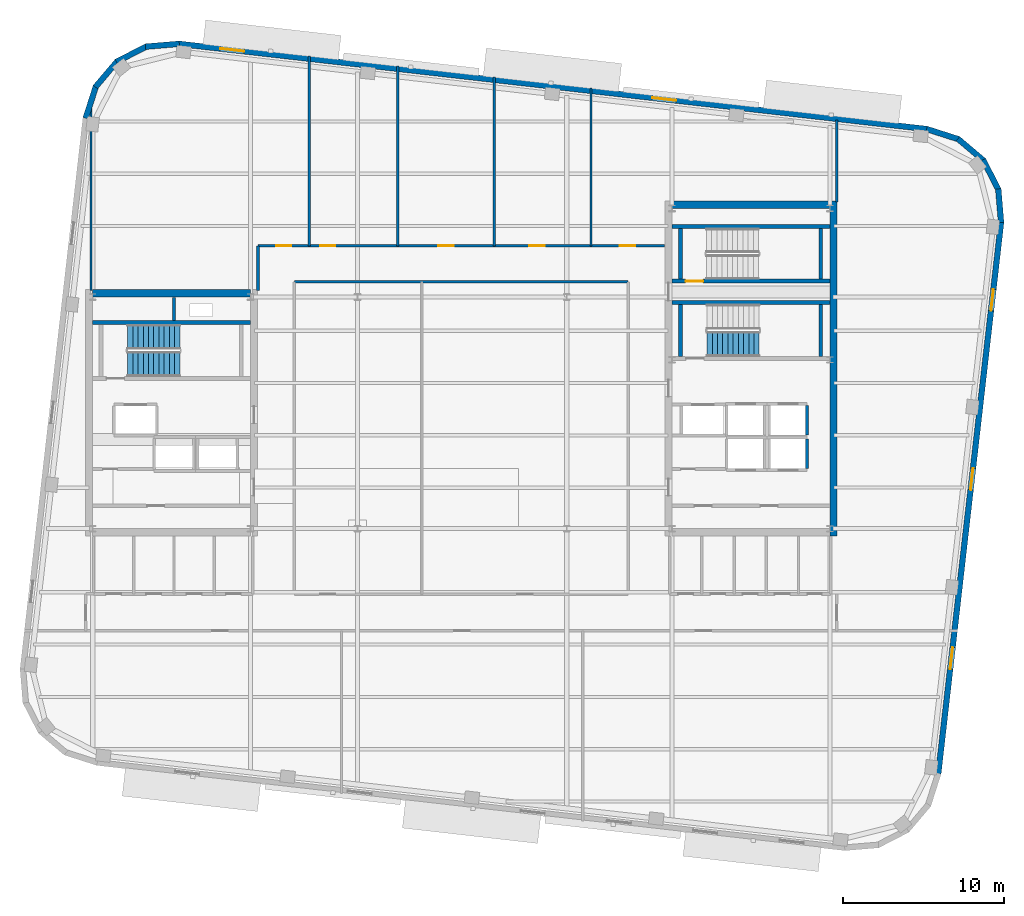
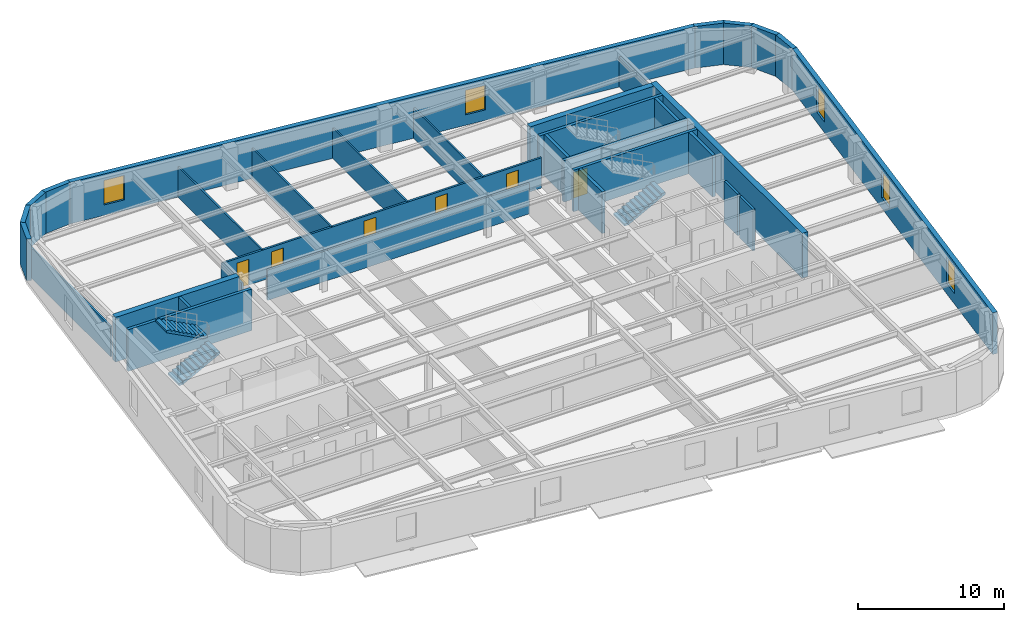
# One storey, part 8 of 13: 33 walls, 6 doors, 5 windows, 3 stair flights, 11 openings, 2 elements without a shape of their own.
"""IFC4 building model written with IfcOpenShell, lengths in metres."""

from ifc_helpers import new_model, si_unit, direction, frame, frame_2d, origin, place, context, subcontext, project, spatial, polyline, rectangle, outline, extrude, material, layer, layer_set, type_object, element, fill, aggregate, save


model = new_model("IFC4")

# Units and contexts
model_context = context("Model", 3, precision=1e-05, world=origin(), true_north=direction((0.0, 1.0)))
body_context = subcontext(model_context, "Body", "Model", "MODEL_VIEW")
ifc_project = project(units=[si_unit("LENGTHUNIT", "METRE"), si_unit("AREAUNIT", "SQUARE_METRE"), si_unit("VOLUMEUNIT", "CUBIC_METRE"), si_unit("PLANEANGLEUNIT", "RADIAN"), si_unit("MASSUNIT", "GRAM", prefix="KILO")], contexts=[model_context])

# Site, building, storey
site_placement = place(None, origin())
site = spatial("IfcSite", under=ifc_project, at=site_placement, CompositionType="ELEMENT")
building_placement = place(site_placement, origin())
building = spatial("IfcBuilding", under=site, at=building_placement, Name="Kolvaren Arena Tower", CompositionType="ELEMENT")
storey_placement = place(building_placement, frame((0.0, 0.0, 254.699951171875)))
storey = spatial("IfcBuildingStorey", under=building, at=storey_placement, Name="L62", CompositionType="ELEMENT", Elevation=254.699951171875)

# Wall
ifc_material_1 = material(Name="Gypsum board acoustic assembly", Category="gypsum")
ifc_layer_1 = layer(ifc_material_1, 0.159912109375)
ifc_layer_set_1 = layer_set([ifc_layer_1], Name="Gypsum board acoustic assembly")
wall_type_1 = type_object("IfcWallType", Name="CORR-160", PredefinedType="PARTITIONING", material=ifc_layer_set_1)
wall_1_placement = place(storey_placement, frame((24.820068359375, 34.25, 0.0), z_axis=(0.0, 0.0, 1.0), x_axis=(0.0, 1.0, 0.0)))
element("IfcWall", 1, at=wall_1_placement, inside=storey, type_object=wall_type_1, Name="Interior Partition Wall (L62)", PredefinedType="PARTITIONING", context=body_context, shape_type="SweptSolid", body=[
    extrude(rectangle(XDim=2.77001953125, YDim=0.159912109375, at=frame_2d((1.385009765625, 0.0))), origin(), (0.0, 0.0, 1.0), 2.5400390625),
])

# Wall, openings, doors
wall_2_placement = place(storey_placement, frame((24.820068359375, 37.02001953125, 0.0), z_axis=(0.0, 0.0, 1.0), x_axis=(1.0, 0.0, 0.0)))
wall_2 = element("IfcWall", 2, at=wall_2_placement, inside=storey, type_object=wall_type_1, Name="Interior Partition Wall (L62)", PredefinedType="PARTITIONING", context=body_context, shape_type="SweptSolid", body=[
    extrude(rectangle(XDim=25.260009765625, YDim=0.159912109375, at=frame_2d((12.6298828125, 0.0))), origin(), (0.0, 0.0, 1.0), 2.5400390625),
])
opening_1_placement = place(wall_2_placement, frame((1.1298828125, 0.0, 0.0)))
opening_1 = element("IfcOpeningElement", 3, at=opening_1_placement, cuts=wall_2, Name="Opening D05", PredefinedType="OPENING", context=body_context, shape_type="SweptSolid", body=[
    extrude(rectangle(XDim=0.949951171875, YDim=2.14990234375, at=frame_2d((0.47509765625, 1.074951171875))), frame((0.0, 0.08984375, 0.0), z_axis=(0.0, -1.0, 0.0), x_axis=(1.0, 0.0, 0.0)), (0.0, 0.0, 1.0), 0.179931640625),
])
opening_2_placement = place(wall_2_placement, frame((3.85498046875, 0.0, 0.0)))
opening_2 = element("IfcOpeningElement", 4, at=opening_2_placement, cuts=wall_2, Name="Opening D05", PredefinedType="OPENING", context=body_context, shape_type="SweptSolid", body=[
    extrude(rectangle(XDim=0.949951171875, YDim=2.14990234375, at=frame_2d((0.47509765625, 1.074951171875))), frame((0.0, 0.08984375, 0.0), z_axis=(0.0, -1.0, 0.0), x_axis=(1.0, 0.0, 0.0)), (0.0, 0.0, 1.0), 0.179931640625),
])
opening_3_placement = place(wall_2_placement, frame((11.205078125, 0.0, 0.0)))
opening_3 = element("IfcOpeningElement", 5, at=opening_3_placement, cuts=wall_2, Name="Opening D05", PredefinedType="OPENING", context=body_context, shape_type="SweptSolid", body=[
    extrude(rectangle(XDim=0.949951171875, YDim=2.14990234375, at=frame_2d((0.47509765625, 1.074951171875))), frame((0.0, 0.08984375, 0.0), z_axis=(0.0, -1.0, 0.0), x_axis=(1.0, 0.0, 0.0)), (0.0, 0.0, 1.0), 0.179931640625),
])
opening_4_placement = place(wall_2_placement, frame((16.85498046875, 0.0, 0.0)))
opening_4 = element("IfcOpeningElement", 6, at=opening_4_placement, cuts=wall_2, Name="Opening D05", PredefinedType="OPENING", context=body_context, shape_type="SweptSolid", body=[
    extrude(rectangle(XDim=0.949951171875, YDim=2.14990234375, at=frame_2d((0.47509765625, 1.074951171875))), frame((0.0, 0.08984375, 0.0), z_axis=(0.0, -1.0, 0.0), x_axis=(1.0, 0.0, 0.0)), (0.0, 0.0, 1.0), 0.179931640625),
])
opening_5_placement = place(wall_2_placement, frame((22.47998046875, 0.0, 0.0)))
opening_5 = element("IfcOpeningElement", 7, at=opening_5_placement, cuts=wall_2, Name="Opening D05", PredefinedType="OPENING", context=body_context, shape_type="SweptSolid", body=[
    extrude(rectangle(XDim=0.949951171875, YDim=2.14990234375, at=frame_2d((0.47509765625, 1.074951171875))), frame((0.0, 0.08984375, 0.0), z_axis=(0.0, -1.0, 0.0), x_axis=(1.0, 0.0, 0.0)), (0.0, 0.0, 1.0), 0.179931640625),
])
ifc_material_2 = material(Name="Solid-core oak acoustic office door", Category="wood")
door_type_1 = type_object("IfcDoorType", Name="DOOR-OF-095", OperationType="NOTDEFINED", PredefinedType="DOOR", material=ifc_material_2)
door_1_placement = place(opening_1_placement, origin())
door_1 = element("IfcDoor", 8, at=door_1_placement, inside=storey, type_object=door_type_1, Name="Collaborative Work Studio Door (L62)", OperationType="SINGLE_SWING_LEFT", OverallHeight=2.14990234375, OverallWidth=0.949951171875, PredefinedType="DOOR", context=body_context, shape_type="SweptSolid", body=[
    extrude(rectangle(XDim=0.949951171875, YDim=2.14990234375, at=frame_2d((0.47509765625, 1.074951171875))), frame((0.0, 0.02490234375, 0.0), z_axis=(0.0, -1.0, 0.0), x_axis=(1.0, 0.0, 0.0)), (0.0, 0.0, 1.0), 0.050048828125),
])
fill(opening_1, door_1)
door_2_placement = place(opening_2_placement, origin())
door_2 = element("IfcDoor", 9, at=door_2_placement, inside=storey, type_object=door_type_1, Name="Boardroom Door (L62)", OperationType="SINGLE_SWING_RIGHT", OverallHeight=2.14990234375, OverallWidth=0.949951171875, PredefinedType="DOOR", context=body_context, shape_type="SweptSolid", body=[
    extrude(rectangle(XDim=0.949951171875, YDim=2.14990234375, at=frame_2d((0.47509765625, 1.074951171875))), frame((0.0, 0.02490234375, 0.0), z_axis=(0.0, -1.0, 0.0), x_axis=(1.0, 0.0, 0.0)), (0.0, 0.0, 1.0), 0.050048828125),
])
fill(opening_2, door_2)
door_3_placement = place(opening_3_placement, origin())
door_3 = element("IfcDoor", 10, at=door_3_placement, inside=storey, type_object=door_type_1, Name="Breakout Pantry and Kitchen Door (L62)", OperationType="SINGLE_SWING_LEFT", OverallHeight=2.14990234375, OverallWidth=0.949951171875, PredefinedType="DOOR", context=body_context, shape_type="SweptSolid", body=[
    extrude(rectangle(XDim=0.949951171875, YDim=2.14990234375, at=frame_2d((0.47509765625, 1.074951171875))), frame((0.0, 0.02490234375, 0.0), z_axis=(0.0, -1.0, 0.0), x_axis=(1.0, 0.0, 0.0)), (0.0, 0.0, 1.0), 0.050048828125),
])
fill(opening_3, door_3)
door_4_placement = place(opening_4_placement, origin())
door_4 = element("IfcDoor", 11, at=door_4_placement, inside=storey, type_object=door_type_1, Name="Client Lounge Door (L62)", OperationType="SINGLE_SWING_RIGHT", OverallHeight=2.14990234375, OverallWidth=0.949951171875, PredefinedType="DOOR", context=body_context, shape_type="SweptSolid", body=[
    extrude(rectangle(XDim=0.949951171875, YDim=2.14990234375, at=frame_2d((0.47509765625, 1.074951171875))), frame((0.0, 0.02490234375, 0.0), z_axis=(0.0, -1.0, 0.0), x_axis=(1.0, 0.0, 0.0)), (0.0, 0.0, 1.0), 0.050048828125),
])
fill(opening_4, door_4)
door_5_placement = place(opening_5_placement, origin())
door_5 = element("IfcDoor", 12, at=door_5_placement, inside=storey, type_object=door_type_1, Name="Tenant Reception Area Door (L62)", OperationType="SINGLE_SWING_LEFT", OverallHeight=2.14990234375, OverallWidth=0.949951171875, PredefinedType="DOOR", context=body_context, shape_type="SweptSolid", body=[
    extrude(rectangle(XDim=0.949951171875, YDim=2.14990234375, at=frame_2d((0.47509765625, 1.074951171875))), frame((0.0, 0.02490234375, 0.0), z_axis=(0.0, -1.0, 0.0), x_axis=(1.0, 0.0, 0.0)), (0.0, 0.0, 1.0), 0.050048828125),
])
fill(opening_5, door_5)

# Walls
wall_3_placement = place(storey_placement, frame((27.080078125, 34.780029296875, 0.0), z_axis=(0.0, 0.0, 1.0), x_axis=(1.0, 0.0, 0.0)))
element("IfcWall", 13, at=wall_3_placement, inside=storey, type_object=wall_type_1, Name="Interior Partition Wall (L62)", PredefinedType="PARTITIONING", context=body_context, shape_type="SweptSolid", body=[
    extrude(rectangle(XDim=20.739990234375, YDim=0.159912109375, at=frame_2d((10.3701171875, 0.0))), origin(), (0.0, 0.0, 1.0), 2.5400390625),
])
ifc_material_3 = material(Name="Concrete 55 MPa", Category="concrete")
ifc_layer_2 = layer(ifc_material_3, 0.449951171875)
ifc_layer_set_2 = layer_set([ifc_layer_2], Name="Concrete 55 MPa")
wall_type_2 = type_object("IfcWallType", Name="CWALL-450", PredefinedType="SHEAR", material=ifc_layer_set_2)
wall_4_placement = place(storey_placement, frame((14.550048828125, 34.074951171875, -0.27001953125), z_axis=(0.0, 0.0, 1.0), x_axis=(1.0, 0.0, 0.0)))
element("IfcWall", 14, at=wall_4_placement, inside=storey, type_object=wall_type_2, Name="Core Shear Wall WC-NORTH (L62)", PredefinedType="SHEAR", context=body_context, shape_type="SweptSolid", body=[
    extrude(rectangle(XDim=9.800048828125, YDim=0.449951171875, at=frame_2d((4.89990234375, 0.0))), origin(), (0.0, 0.0, 1.0), 3.75),
])
wall_5_placement = place(storey_placement, frame((60.574951171875, 19.0, -0.27001953125), z_axis=(0.0, 0.0, 1.0), x_axis=(0.0, 1.0, 0.0)))
element("IfcWall", 15, at=wall_5_placement, inside=storey, type_object=wall_type_2, Name="Core Shear Wall EC-EAST (L62)", PredefinedType="SHEAR", context=body_context, shape_type="SweptSolid", body=[
    extrude(rectangle(XDim=20.800048828125, YDim=0.449951171875, at=frame_2d((10.39990234375, 0.0))), origin(), (0.0, 0.0, 1.0), 3.75),
])
wall_6_placement = place(storey_placement, frame((50.550048828125, 39.574951171875, -0.27001953125), z_axis=(0.0, 0.0, 1.0), x_axis=(1.0, 0.0, 0.0)))
element("IfcWall", 16, at=wall_6_placement, inside=storey, type_object=wall_type_2, Name="Core Shear Wall EC-NORTH (L62)", PredefinedType="SHEAR", context=body_context, shape_type="SweptSolid", body=[
    extrude(rectangle(XDim=9.800048828125, YDim=0.449951171875, at=frame_2d((4.89990234375, 0.0))), origin(), (0.0, 0.0, 1.0), 3.75),
])

# Wall, openings, windows
ifc_material_4 = material(Name="Precast concrete C50/60", Category="concrete")
ifc_layer_3 = layer(ifc_material_4, 0.360107421875)
ifc_layer_set_3 = layer_set([ifc_layer_3], Name="Precast concrete C50/60")
wall_type_3 = type_object("IfcWallType", Name="EXT-PIER2", PredefinedType="SOLIDWALL", material=ifc_layer_set_3)
wall_7_placement = place(storey_placement, frame((70.98876953125, 38.499267578125, 0.0), z_axis=(0.0, 0.0, 1.0), x_axis=(-0.113203107947, -0.993571867733, 0.0)))
wall_7 = element("IfcWall", 17, at=wall_7_placement, inside=storey, type_object=wall_type_3, Name="Exterior Precast Masonry-Frame Wall (L62)", PredefinedType="SOLIDWALL", context=body_context, shape_type="SweptSolid", body=[
    extrude(rectangle(XDim=34.5, YDim=0.360107421875, at=frame_2d((17.25, 0.0))), origin(), (0.0, 0.0, 1.0), 3.47998046875),
])
opening_6_placement = place(wall_7_placement, frame((4.199951171875, 0.0, 0.8798828125)))
opening_6 = element("IfcOpeningElement", 18, at=opening_6_placement, cuts=wall_7, Name="Opening W04", PredefinedType="OPENING", context=body_context, shape_type="SweptSolid", body=[
    extrude(rectangle(XDim=1.35009765625, YDim=2.199951171875, at=frame_2d((0.675048828125, 1.10009765625))), frame((0.0, 0.18994140625, 0.0), z_axis=(0.0, -1.0, 0.0), x_axis=(1.0, 0.0, 0.0)), (0.0, 0.0, 1.0), 0.380126953125),
])
opening_7_placement = place(wall_7_placement, frame((15.39990234375, 0.0, 0.8798828125)))
opening_7 = element("IfcOpeningElement", 19, at=opening_7_placement, cuts=wall_7, Name="Opening W04", PredefinedType="OPENING", context=body_context, shape_type="SweptSolid", body=[
    extrude(rectangle(XDim=1.35009765625, YDim=2.199951171875, at=frame_2d((0.675048828125, 1.10009765625))), frame((0.0, 0.18994140625, 0.0), z_axis=(0.0, -1.0, 0.0), x_axis=(1.0, 0.0, 0.0)), (0.0, 0.0, 1.0), 0.380126953125),
])
opening_8_placement = place(wall_7_placement, frame((26.60009765625, 0.0, 0.8798828125)))
opening_8 = element("IfcOpeningElement", 20, at=opening_8_placement, cuts=wall_7, Name="Opening W04", PredefinedType="OPENING", context=body_context, shape_type="SweptSolid", body=[
    extrude(rectangle(XDim=1.35009765625, YDim=2.199951171875, at=frame_2d((0.675048828125, 1.10009765625))), frame((0.0, 0.18994140625, 0.0), z_axis=(0.0, -1.0, 0.0), x_axis=(1.0, 0.0, 0.0)), (0.0, 0.0, 1.0), 0.380126953125),
])
ifc_material_5 = material(Name="Triple-glazed curved-facet corner window", Category="glass")
window_type_1 = type_object("IfcWindowType", Name="WIN-CRN-A", PartitioningType="SINGLE_PANEL", PredefinedType="WINDOW", material=ifc_material_5)
window_1_placement = place(opening_6_placement, origin())
window_1 = element("IfcWindow", 21, at=window_1_placement, inside=storey, type_object=window_type_1, Name="End-Wall Punched Window (L62)", OverallHeight=2.199951171875, OverallWidth=1.35009765625, PartitioningType="SINGLE_PANEL", PredefinedType="WINDOW", context=body_context, shape_type="SweptSolid", body=[
    extrude(rectangle(XDim=1.35009765625, YDim=2.199951171875, at=frame_2d((0.675048828125, 1.10009765625))), frame((0.0, 0.030029296875, 0.0), z_axis=(0.0, -1.0, 0.0), x_axis=(1.0, 0.0, 0.0)), (0.0, 0.0, 1.0), 0.06005859375),
])
fill(opening_6, window_1)
window_2_placement = place(opening_7_placement, origin())
window_2 = element("IfcWindow", 22, at=window_2_placement, inside=storey, type_object=window_type_1, Name="End-Wall Punched Window (L62)", OverallHeight=2.199951171875, OverallWidth=1.35009765625, PartitioningType="SINGLE_PANEL", PredefinedType="WINDOW", context=body_context, shape_type="SweptSolid", body=[
    extrude(rectangle(XDim=1.35009765625, YDim=2.199951171875, at=frame_2d((0.675048828125, 1.10009765625))), frame((0.0, 0.030029296875, 0.0), z_axis=(0.0, -1.0, 0.0), x_axis=(1.0, 0.0, 0.0)), (0.0, 0.0, 1.0), 0.06005859375),
])
fill(opening_7, window_2)
window_3_placement = place(opening_8_placement, origin())
window_3 = element("IfcWindow", 23, at=window_3_placement, inside=storey, type_object=window_type_1, Name="End-Wall Punched Window (L62)", OverallHeight=2.199951171875, OverallWidth=1.35009765625, PartitioningType="SINGLE_PANEL", PredefinedType="WINDOW", context=body_context, shape_type="SweptSolid", body=[
    extrude(rectangle(XDim=1.35009765625, YDim=2.199951171875, at=frame_2d((0.675048828125, 1.10009765625))), frame((0.0, 0.030029296875, 0.0), z_axis=(0.0, -1.0, 0.0), x_axis=(1.0, 0.0, 0.0)), (0.0, 0.0, 1.0), 0.06005859375),
])
fill(opening_8, window_3)

# Walls
wall_8_placement = place(storey_placement, frame((70.813720703125, 40.563720703125, 0.0), z_axis=(0.0, 0.0, 1.0), x_axis=(0.082853678144, -0.996561723135, 0.0)))
element("IfcWall", 24, at=wall_8_placement, inside=storey, type_object=wall_type_3, Name="Exterior Precast Masonry-Frame Wall (L62)", PredefinedType="SOLIDWALL", context=body_context, shape_type="SweptSolid", body=[
    extrude(rectangle(XDim=2.10693359375, YDim=0.360107421875, at=frame_2d((1.053466796875, 0.0))), origin(), (0.0, 0.0, 1.0), 3.47998046875),
])
for number, where, z_axis, x_axis, name in (
    (25, (69.868408203125, 42.369384765625, 0.0), (0.0, 0.0, 1.0), (0.457887222333, -0.889010287693, 0.0), "Exterior Precast Masonry-Frame Wall (L62)"),
    (26, (68.303955078125, 43.67578125, 0.0), (0.0, 0.0, 1.0), (0.763192878975, -0.646170743289, 0.0), "Exterior Precast Masonry-Frame Wall (L62)"),
    (27, (66.358642578125, 44.283935546875, 0.0), (0.0, 0.0, 1.0), (0.952403965565, -0.304838787518, 0.0), "Exterior Precast Masonry-Frame Wall (L62)"),
):
    element("IfcWall", number, at=place(storey_placement, frame(where, z_axis=z_axis, x_axis=x_axis)), inside=storey, type_object=wall_type_3, Name=name, PredefinedType="SOLIDWALL", context=body_context, shape_type="SweptSolid", body=[
        extrude(rectangle(XDim=2.107177734375, YDim=0.360107421875, at=frame_2d((1.0537109375, 0.0))), origin(), (0.0, 0.0, 1.0), 3.47998046875),
    ])

# Wall, openings, windows
wall_9_placement = place(storey_placement, frame((19.89404296875, 49.57470703125, 0.0), z_axis=(0.0, 0.0, 1.0), x_axis=(0.993571439016, -0.113206870688, 0.0)))
wall_9 = element("IfcWall", 28, at=wall_9_placement, inside=storey, type_object=wall_type_3, Name="Exterior Precast Masonry-Frame Wall (L62)", PredefinedType="SOLIDWALL", context=body_context, shape_type="SweptSolid", body=[
    extrude(rectangle(XDim=46.800048828125, YDim=0.360107421875, at=frame_2d((23.39990234375, 0.0))), origin(), (0.0, 0.0, 1.0), 3.47998046875),
])
opening_9_placement = place(wall_9_placement, frame((2.60009765625, 0.0, 0.8798828125)))
opening_9 = element("IfcOpeningElement", 29, at=opening_9_placement, cuts=wall_9, Name="Opening W03", PredefinedType="OPENING", context=body_context, shape_type="SweptSolid", body=[
    extrude(rectangle(XDim=1.5, YDim=2.050048828125, at=frame_2d((0.75, 1.02490234375))), frame((0.0, 0.18994140625, 0.0), z_axis=(0.0, -1.0, 0.0), x_axis=(1.0, 0.0, 0.0)), (0.0, 0.0, 1.0), 0.380126953125),
])
opening_10_placement = place(wall_9_placement, frame((29.60009765625, 0.0, 0.8798828125)))
opening_10 = element("IfcOpeningElement", 30, at=opening_10_placement, cuts=wall_9, Name="Opening W03", PredefinedType="OPENING", context=body_context, shape_type="SweptSolid", body=[
    extrude(rectangle(XDim=1.5, YDim=2.050048828125, at=frame_2d((0.75, 1.02490234375))), frame((0.0, 0.18994140625, 0.0), z_axis=(0.0, -1.0, 0.0), x_axis=(1.0, 0.0, 0.0)), (0.0, 0.0, 1.0), 0.380126953125),
])
ifc_material_6 = material(Name="Triple-glazed low-E aluminium window", Category="aluminium")
window_type_2 = type_object("IfcWindowType", Name="WIN-OFF-C", PartitioningType="SINGLE_PANEL", PredefinedType="WINDOW", material=ifc_material_6)
window_4_placement = place(opening_9_placement, origin())
window_4 = element("IfcWindow", 31, at=window_4_placement, inside=storey, type_object=window_type_2, Name="Punched Precast-Pier Window (L62)", OverallHeight=2.050048828125, OverallWidth=1.5, PartitioningType="SINGLE_PANEL", PredefinedType="WINDOW", context=body_context, shape_type="SweptSolid", body=[
    extrude(rectangle(XDim=1.5, YDim=2.050048828125, at=frame_2d((0.75, 1.02490234375))), frame((0.0, 0.030029296875, 0.0), z_axis=(0.0, -1.0, 0.0), x_axis=(1.0, 0.0, 0.0)), (0.0, 0.0, 1.0), 0.06005859375),
])
fill(opening_9, window_4)
window_5_placement = place(opening_10_placement, origin())
window_5 = element("IfcWindow", 32, at=window_5_placement, inside=storey, type_object=window_type_2, Name="Punched Precast-Pier Window (L62)", OverallHeight=2.050048828125, OverallWidth=1.5, PartitioningType="SINGLE_PANEL", PredefinedType="WINDOW", context=body_context, shape_type="SweptSolid", body=[
    extrude(rectangle(XDim=1.5, YDim=2.050048828125, at=frame_2d((0.75, 1.02490234375))), frame((0.0, 0.030029296875, 0.0), z_axis=(0.0, -1.0, 0.0), x_axis=(1.0, 0.0, 0.0)), (0.0, 0.0, 1.0), 0.06005859375),
])
fill(opening_10, window_5)

# Walls
for number, where, z_axis, x_axis, name in (
    (33, (17.82958984375, 49.3994140625, 0.0), (0.0, 0.0, 1.0), (0.996562518477, 0.082844111233, 0.0), "Exterior Precast Masonry-Frame Wall (L62)"),
    (34, (16.02392578125, 48.4541015625, 0.0), (0.0, 0.0, 1.0), (0.889010287693, 0.457887222333, 0.0), "Exterior Precast Masonry-Frame Wall (L62)"),
    (35, (14.717529296875, 46.8896484375, 0.0), (0.0, 0.0, 1.0), (0.646170743289, 0.763192878975, 0.0), "Exterior Precast Masonry-Frame Wall (L62)"),
):
    element("IfcWall", number, at=place(storey_placement, frame(where, z_axis=z_axis, x_axis=x_axis)), inside=storey, type_object=wall_type_3, Name=name, PredefinedType="SOLIDWALL", context=body_context, shape_type="SweptSolid", body=[
        extrude(rectangle(XDim=2.107177734375, YDim=0.360107421875, at=frame_2d((1.0537109375, 0.0))), origin(), (0.0, 0.0, 1.0), 3.47998046875),
    ])
wall_10_placement = place(storey_placement, frame((14.109375, 44.944580078125, 0.0), z_axis=(0.0, 0.0, 1.0), x_axis=(0.304872429864, 0.952393196904, 0.0)))
element("IfcWall", 36, at=wall_10_placement, inside=storey, type_object=wall_type_3, Name="Exterior Precast Masonry-Frame Wall (L62)", PredefinedType="SOLIDWALL", context=body_context, shape_type="SweptSolid", body=[
    extrude(rectangle(XDim=2.10693359375, YDim=0.360107421875, at=frame_2d((1.053466796875, 0.0))), origin(), (0.0, 0.0, 1.0), 3.47998046875),
])
ifc_material_7 = material(Name="Gypsum board partition assembly", Category="gypsum")
ifc_layer_4 = layer(ifc_material_7, 0.135009765625)
ifc_layer_set_4 = layer_set([ifc_layer_4], Name="Gypsum board partition assembly")
wall_type_4 = type_object("IfcWallType", Name="PART-135", PredefinedType="PARTITIONING", material=ifc_layer_set_4)
wall_11_placement = place(storey_placement, frame((28.0, 37.02001953125, 0.0), z_axis=(0.0, 0.0, 1.0), x_axis=(0.0, 1.0, 0.0)))
element("IfcWall", 37, at=wall_11_placement, inside=storey, type_object=wall_type_4, Name="Interior Partition Wall (L62)", PredefinedType="PARTITIONING", context=body_context, shape_type="SweptSolid", body=[
    extrude(rectangle(XDim=11.812255859375, YDim=0.135009765625, at=frame_2d((5.90625, 0.0))), origin(), (0.0, 0.0, 1.0), 2.5400390625),
])
wall_12_placement = place(storey_placement, frame((33.5, 37.02001953125, 0.0), z_axis=(0.0, 0.0, 1.0), x_axis=(0.0, 1.0, 0.0)))
element("IfcWall", 38, at=wall_12_placement, inside=storey, type_object=wall_type_4, Name="Interior Partition Wall (L62)", PredefinedType="PARTITIONING", context=body_context, shape_type="SweptSolid", body=[
    extrude(rectangle(XDim=11.185546875, YDim=0.135009765625, at=frame_2d((5.5927734375, 0.0))), origin(), (0.0, 0.0, 1.0), 2.5400390625),
])
wall_13_placement = place(storey_placement, frame((39.5, 37.02001953125, 0.0), z_axis=(0.0, 0.0, 1.0), x_axis=(0.0, 1.0, 0.0)))
element("IfcWall", 39, at=wall_13_placement, inside=storey, type_object=wall_type_4, Name="Interior Partition Wall (L62)", PredefinedType="PARTITIONING", context=body_context, shape_type="SweptSolid", body=[
    extrude(rectangle(XDim=10.501953125, YDim=0.135009765625, at=frame_2d((5.2509765625, 0.0))), origin(), (0.0, 0.0, 1.0), 2.5400390625),
])
wall_14_placement = place(storey_placement, frame((45.5, 37.02001953125, 0.0), z_axis=(0.0, 0.0, 1.0), x_axis=(0.0, 1.0, 0.0)))
element("IfcWall", 40, at=wall_14_placement, inside=storey, type_object=wall_type_4, Name="Interior Partition Wall (L62)", PredefinedType="PARTITIONING", context=body_context, shape_type="SweptSolid", body=[
    extrude(rectangle(XDim=9.818115234375, YDim=0.135009765625, at=frame_2d((4.9091796875, 0.0))), origin(), (0.0, 0.0, 1.0), 2.5400390625),
])
wall_15_placement = place(storey_placement, frame((14.449951171875, 34.25, 0.0), z_axis=(0.0, 0.0, 1.0), x_axis=(0.0, 1.0, 0.0)))
element("IfcWall", 41, at=wall_15_placement, inside=storey, type_object=wall_type_4, Name="Interior Partition Wall (L62)", PredefinedType="PARTITIONING", context=body_context, shape_type="SweptSolid", body=[
    extrude(rectangle(XDim=11.56201171875, YDim=0.135009765625, at=frame_2d((5.781005859375, 0.0))), origin(), (0.0, 0.0, 1.0), 2.5400390625),
])
wall_16_placement = place(storey_placement, frame((60.780029296875, 39.75, 0.0), z_axis=(0.0, 0.0, 1.0), x_axis=(0.0, 1.0, 0.0)))
element("IfcWall", 42, at=wall_16_placement, inside=storey, type_object=wall_type_4, Name="Interior Partition Wall (L62)", PredefinedType="PARTITIONING", context=body_context, shape_type="SweptSolid", body=[
    extrude(rectangle(XDim=5.105712890625, YDim=0.135009765625, at=frame_2d((2.552734375, 0.0))), origin(), (0.0, 0.0, 1.0), 2.5400390625),
])
ifc_material_8 = material(Name="Concrete 45 MPa", Category="concrete")
ifc_layer_5 = layer(ifc_material_8, 0.25)
ifc_layer_set_5 = layer_set([ifc_layer_5], Name="Concrete 45 MPa")
wall_type_5 = type_object("IfcWallType", Name="SHAFT-250", PredefinedType="SOLIDWALL", material=ifc_layer_set_5)
for number, where, z_axis, x_axis, name in (
    (43, (14.550048828125, 32.25, 0.0), (0.0, 0.0, 1.0), (1.0, 0.0, 0.0), "Core Shaft Wall (L62)"),
    (44, (50.550048828125, 33.5, 0.0), (0.0, 0.0, 1.0), (1.0, 0.0, 0.0), "Core Shaft Wall (L62)"),
):
    element("IfcWall", number, at=place(storey_placement, frame(where, z_axis=z_axis, x_axis=x_axis)), inside=storey, type_object=wall_type_5, Name=name, PredefinedType="SOLIDWALL", context=body_context, shape_type="SweptSolid", body=[
        extrude(rectangle(XDim=9.800048828125, YDim=0.239990234375, at=frame_2d((4.89990234375, 0.0))), origin(), (0.0, 0.0, 1.0), 3.47998046875),
    ])
for number, where, z_axis, x_axis, name in (
    (45, (51.06005859375, 30.14990234375, 0.0), (0.0, 0.0, 1.0), (0.0, 1.0, 0.0), "Core Shaft Wall (L62)"),
    (46, (59.780029296875, 30.14990234375, 0.0), (0.0, 0.0, 1.0), (0.0, 1.0, 0.0), "Core Shaft Wall (L62)"),
):
    element("IfcWall", number, at=place(storey_placement, frame(where, z_axis=z_axis, x_axis=x_axis)), inside=storey, type_object=wall_type_5, Name=name, PredefinedType="SOLIDWALL", context=body_context, shape_type="SweptSolid", body=[
        extrude(rectangle(XDim=3.22998046875, YDim=0.239990234375, at=frame_2d((1.614990234375, 0.0))), origin(), (0.0, 0.0, 1.0), 3.47998046875),
    ])

# Wall, opening, door
wall_17_placement = place(storey_placement, frame((60.35009765625, 34.830078125, 0.0), z_axis=(0.0, 0.0, 1.0), x_axis=(-1.0, 0.0, 0.0)))
wall_17 = element("IfcWall", 47, at=wall_17_placement, inside=storey, type_object=wall_type_5, Name="Core Shaft Wall (L62)", PredefinedType="SOLIDWALL", context=body_context, shape_type="SweptSolid", body=[
    extrude(rectangle(XDim=9.800048828125, YDim=0.239990234375, at=frame_2d((4.89990234375, 0.0))), origin(), (0.0, 0.0, 1.0), 3.47998046875),
])
opening_11_placement = place(wall_17_placement, frame((7.8701171875, 0.0, 0.0)))
opening_11 = element("IfcOpeningElement", 48, at=opening_11_placement, cuts=wall_17, Name="Opening D03", PredefinedType="OPENING", context=body_context, shape_type="SweptSolid", body=[
    extrude(rectangle(XDim=1.10009765625, YDim=2.14990234375, at=frame_2d((0.550048828125, 1.074951171875))), frame((0.0, 0.1298828125, 0.0), z_axis=(0.0, -1.0, 0.0), x_axis=(1.0, 0.0, 0.0)), (0.0, 0.0, 1.0), 0.260009765625),
])
ifc_material_9 = material(Name="Fire-rated steel exit stair door", Category="steel")
door_type_2 = type_object("IfcDoorType", Name="DOOR-ST-110", OperationType="NOTDEFINED", PredefinedType="DOOR", material=ifc_material_9)
door_6_placement = place(opening_11_placement, origin())
door_6 = element("IfcDoor", 49, at=door_6_placement, inside=storey, type_object=door_type_2, Name="Stair ST-E2 Fire Door (L62)", OperationType="SINGLE_SWING_LEFT", OverallHeight=2.14990234375, OverallWidth=1.10009765625, PredefinedType="DOOR", context=body_context, shape_type="SweptSolid", body=[
    extrude(rectangle(XDim=1.10009765625, YDim=2.14990234375, at=frame_2d((0.550048828125, 1.074951171875))), frame((0.0, 0.02490234375, 0.0), z_axis=(0.0, -1.0, 0.0), x_axis=(1.0, 0.0, 0.0)), (0.0, 0.0, 1.0), 0.050048828125),
])
fill(opening_11, door_6)

# Walls
wall_18_placement = place(storey_placement, frame((50.550048828125, 38.219970703125, 0.0), z_axis=(0.0, 0.0, 1.0), x_axis=(1.0, 0.0, 0.0)))
element("IfcWall", 50, at=wall_18_placement, inside=storey, type_object=wall_type_5, Name="Core Shaft Wall (L62)", PredefinedType="SOLIDWALL", context=body_context, shape_type="SweptSolid", body=[
    extrude(rectangle(XDim=9.800048828125, YDim=0.239990234375, at=frame_2d((4.89990234375, 0.0))), origin(), (0.0, 0.0, 1.0), 3.47998046875),
])
for number, where, z_axis, x_axis, name in (
    (51, (51.06005859375, 34.949951171875, 0.0), (0.0, 0.0, 1.0), (0.0, 1.0, 0.0), "Core Shaft Wall (L62)"),
    (52, (59.780029296875, 34.949951171875, 0.0), (0.0, 0.0, 1.0), (0.0, 1.0, 0.0), "Core Shaft Wall (L62)"),
):
    element("IfcWall", number, at=place(storey_placement, frame(where, z_axis=z_axis, x_axis=x_axis)), inside=storey, type_object=wall_type_5, Name=name, PredefinedType="SOLIDWALL", context=body_context, shape_type="SweptSolid", body=[
        extrude(rectangle(XDim=3.150146484375, YDim=0.239990234375, at=frame_2d((1.5751953125, 0.0))), origin(), (0.0, 0.0, 1.0), 3.47998046875),
    ])
wall_19_placement = place(storey_placement, frame((19.60009765625, 32.3701171875, 0.0), z_axis=(0.0, 0.0, 1.0), x_axis=(0.0, 1.0, 0.0)))
element("IfcWall", 53, at=wall_19_placement, inside=storey, type_object=wall_type_5, Name="Core Shaft Wall (L62)", PredefinedType="SOLIDWALL", context=body_context, shape_type="SweptSolid", body=[
    extrude(rectangle(XDim=1.429931640625, YDim=0.199951171875, at=frame_2d((0.71484375, 0.0))), origin(), (0.0, 0.0, 1.0), 3.47998046875),
])
wall_20_placement = place(storey_placement, frame((58.93994140625, 23.18505859375, 0.0), z_axis=(0.0, 0.0, 1.0), x_axis=(0.0, 1.0, 0.0)))
element("IfcWall", 54, at=wall_20_placement, inside=storey, type_object=wall_type_5, Name="Core Shaft Wall (L62)", PredefinedType="SOLIDWALL", context=body_context, shape_type="SweptSolid", body=[
    extrude(rectangle(XDim=1.829833984375, YDim=0.179931640625, at=frame_2d((0.9150390625, 0.0))), origin(), (0.0, 0.0, 1.0), 3.47998046875),
])
wall_21_placement = place(storey_placement, frame((58.93994140625, 25.284912109375, 0.0), z_axis=(0.0, 0.0, 1.0), x_axis=(0.0, 1.0, 0.0)))
element("IfcWall", 55, at=wall_21_placement, inside=storey, type_object=wall_type_5, Name="Core Shaft Wall (L62)", PredefinedType="SOLIDWALL", context=body_context, shape_type="SweptSolid", body=[
    extrude(rectangle(XDim=1.830078125, YDim=0.179931640625, at=frame_2d((0.9150390625, 0.0))), origin(), (0.0, 0.0, 1.0), 3.47998046875),
])

# Stair, stair flights
stair_type = type_object("IfcStairType", Name="STAIR-CORE-165", PredefinedType="HALF_TURN_STAIR", material=ifc_material_8)
stair_1_placement = place(storey_placement, origin())
stair_1 = element("IfcStair", 56, at=stair_1_placement, inside=storey, type_object=stair_type, Name="L62 ST-W1", PredefinedType="HALF_TURN_STAIR")
stair_flight_type = type_object("IfcStairFlightType", Name="FLT-165", PredefinedType="STRAIGHT", material=ifc_material_8)
stair_flight_1_placement = place(storey_placement, frame((16.719970703125, 29.669921875, 0.0), z_axis=(0.0, 0.0, 1.0), x_axis=(1.0, 0.0, 0.0)))
stair_flight_1 = element("IfcStairFlight", 57, at=stair_flight_1_placement, type_object=stair_flight_type, Name="ST-W1 flight 1", NumberOfRisers=11, NumberOfTreads=10, PredefinedType="STRAIGHT", RiserHeight=0.170454545, TreadLength=0.324, context=body_context, shape_type="SweptSolid", body=[
    extrude(outline(polyline([(0.0, 0.0), (0.0, 0.17041015625), (0.323974609375, 0.17041015625), (0.323974609375, 0.3408203125), (0.64794921875, 0.3408203125), (0.64794921875, 0.511474609375), (0.971923828125, 0.511474609375), (0.971923828125, 0.681884765625), (1.2958984375, 0.681884765625), (1.2958984375, 0.852294921875), (1.6201171875, 0.852294921875), (1.6201171875, 1.022705078125), (1.944091796875, 1.022705078125), (1.944091796875, 1.193115234375), (2.26806640625, 1.193115234375), (2.26806640625, 1.363525390625), (2.592041015625, 1.363525390625), (2.592041015625, 1.5341796875), (2.916015625, 1.5341796875), (2.916015625, 1.70458984375), (3.239990234375, 1.70458984375), (3.239990234375, 1.875), (3.239990234375, 1.53515625), (0.322021484375, 0.0), (0.0, 0.0)])), frame((0.0, 0.77001953125, 0.0), z_axis=(0.0, -1.0, 0.0), x_axis=(1.0, 0.0, 0.0)), (0.0, 0.0, 1.0), 1.5400390625),
])
stair_flight_2_placement = place(storey_placement, frame((19.9599609375, 31.360107421875, 1.875), z_axis=(0.0, 0.0, 1.0), x_axis=(-1.0, 0.0, 0.0)))
stair_flight_2 = element("IfcStairFlight", 58, at=stair_flight_2_placement, type_object=stair_flight_type, Name="ST-W1 flight 2", NumberOfRisers=11, NumberOfTreads=10, PredefinedType="STRAIGHT", RiserHeight=0.170454545, TreadLength=0.324, context=body_context, shape_type="SweptSolid", body=[
    extrude(outline(polyline([(0.0, 0.0), (0.0, 0.17041015625), (0.323974609375, 0.17041015625), (0.323974609375, 0.3408203125), (0.64794921875, 0.3408203125), (0.64794921875, 0.511474609375), (0.971923828125, 0.511474609375), (0.971923828125, 0.681884765625), (1.2958984375, 0.681884765625), (1.2958984375, 0.852294921875), (1.6201171875, 0.852294921875), (1.6201171875, 1.022705078125), (1.944091796875, 1.022705078125), (1.944091796875, 1.193115234375), (2.26806640625, 1.193115234375), (2.26806640625, 1.363525390625), (2.592041015625, 1.363525390625), (2.592041015625, 1.5341796875), (2.916015625, 1.5341796875), (2.916015625, 1.70458984375), (3.239990234375, 1.70458984375), (3.239990234375, 1.875), (3.239990234375, 1.53515625), (0.322021484375, 0.0), (0.0, 0.0)])), frame((0.0, 0.77001953125, 0.0), z_axis=(0.0, -1.0, 0.0), x_axis=(1.0, 0.0, 0.0)), (0.0, 0.0, 1.0), 1.5400390625),
])
aggregate(stair_1, [stair_flight_1, stair_flight_2])

# Stair, stair flight
stair_2_placement = place(storey_placement, origin())
stair_2 = element("IfcStair", 59, at=stair_2_placement, inside=storey, type_object=stair_type, Name="L62 ST-E1", PredefinedType="HALF_TURN_STAIR")
stair_flight_3_placement = place(storey_placement, frame((52.719970703125, 30.919921875, 0.0), z_axis=(0.0, 0.0, 1.0), x_axis=(1.0, 0.0, 0.0)))
stair_flight_3 = element("IfcStairFlight", 60, at=stair_flight_3_placement, type_object=stair_flight_type, Name="ST-E1 flight 1", NumberOfRisers=11, NumberOfTreads=10, PredefinedType="STRAIGHT", RiserHeight=0.170454545, TreadLength=0.324, context=body_context, shape_type="SweptSolid", body=[
    extrude(outline(polyline([(0.0, 0.0), (0.0, 0.17041015625), (0.323974609375, 0.17041015625), (0.323974609375, 0.3408203125), (0.64794921875, 0.3408203125), (0.64794921875, 0.511474609375), (0.971923828125, 0.511474609375), (0.971923828125, 0.681884765625), (1.2958984375, 0.681884765625), (1.2958984375, 0.852294921875), (1.6201171875, 0.852294921875), (1.6201171875, 1.022705078125), (1.944091796875, 1.022705078125), (1.944091796875, 1.193115234375), (2.26806640625, 1.193115234375), (2.26806640625, 1.363525390625), (2.592041015625, 1.363525390625), (2.592041015625, 1.5341796875), (2.916015625, 1.5341796875), (2.916015625, 1.70458984375), (3.239990234375, 1.70458984375), (3.239990234375, 1.875), (3.239990234375, 1.53515625), (0.322021484375, 0.0), (0.0, 0.0)])), frame((0.0, 0.77001953125, 0.0), z_axis=(0.0, -1.0, 0.0), x_axis=(1.0, 0.0, 0.0)), (0.0, 0.0, 1.0), 1.5400390625),
])
aggregate(stair_2, [stair_flight_3])

save(model, "model.ifc")
